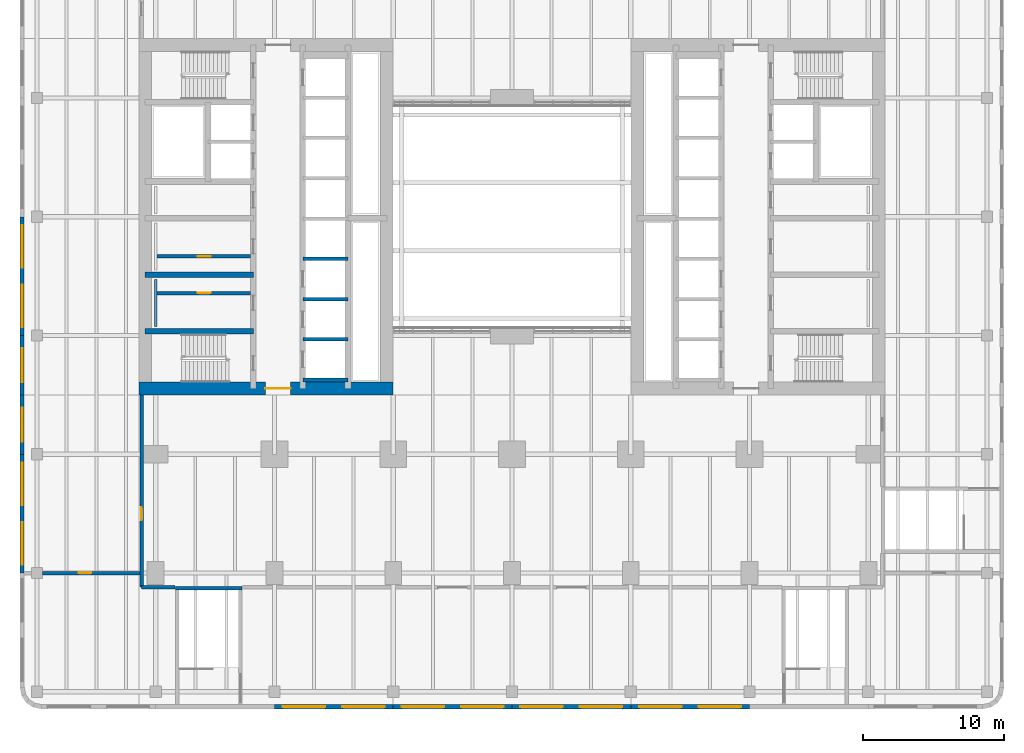
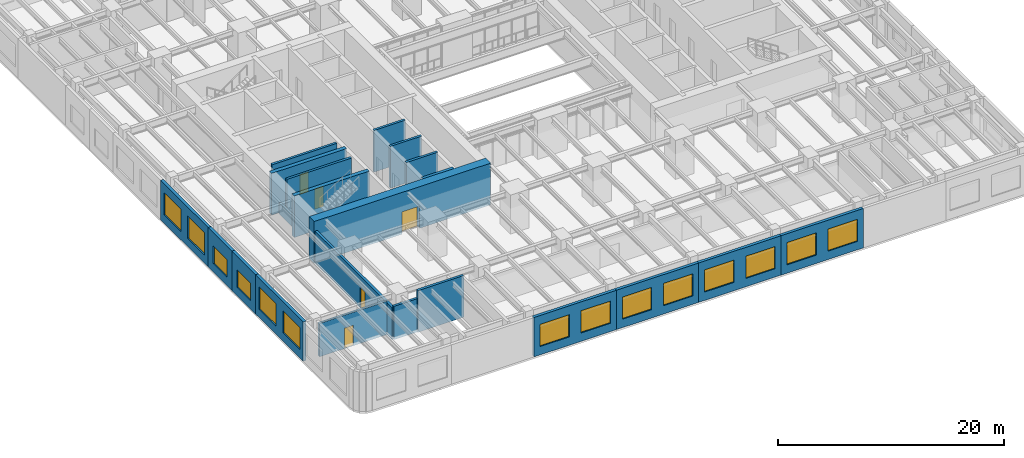
# One storey, part 9 of 22: 22 walls, 14 windows, 5 doors, 19 openings.
"""IFC4 building model written with IfcOpenShell, lengths in metres."""

from ifc_helpers import new_model, si_unit, direction, frame, frame_2d, origin, place, context, subcontext, project, spatial, rectangle, extrude, material, layer, layer_set, type_object, element, fill, save


model = new_model("IFC4")

# Units and contexts
model_context = context("Model", 3, precision=1e-05, world=origin(), true_north=direction((0.0, 1.0)))
body_context = subcontext(model_context, "Body", "Model", "MODEL_VIEW")
ifc_project = project(units=[si_unit("LENGTHUNIT", "METRE"), si_unit("AREAUNIT", "SQUARE_METRE"), si_unit("VOLUMEUNIT", "CUBIC_METRE"), si_unit("PLANEANGLEUNIT", "RADIAN"), si_unit("MASSUNIT", "GRAM", prefix="KILO")], contexts=[model_context])

# Site, building, storey
site_placement = place(None, origin())
site = spatial("IfcSite", under=ifc_project, at=site_placement, CompositionType="ELEMENT")
building_placement = place(site_placement, origin())
building = spatial("IfcBuilding", under=site, at=building_placement, Name="Claustro Exchange Tower", CompositionType="ELEMENT")
storey_placement = place(building_placement, frame((0.0, 0.0, 14.39990234375)))
storey = spatial("IfcBuildingStorey", under=building, at=storey_placement, Name="L03", CompositionType="ELEMENT", Elevation=14.39990234375)

# Wall
ifc_material_1 = material(Name="Concrete blockwork, rendered", Category="masonry")
ifc_layer_1 = layer(ifc_material_1, 0.25)
ifc_layer_set_1 = layer_set([ifc_layer_1], Name="Concrete blockwork, rendered")
wall_type_1 = type_object("IfcWallType", Name="P4 250 blockwork wall", PredefinedType="PARTITIONING", material=ifc_layer_set_1)
wall_1_placement = place(storey_placement, frame((-1.0, -1.0, 0.0), z_axis=(0.0, 0.0, 1.0), x_axis=(1.0, 0.0, 0.0)))
element("IfcWall", 1, at=wall_1_placement, inside=storey, type_object=wall_type_1, Name="Partition P4 L03", PredefinedType="PARTITIONING", context=body_context, shape_type="SweptSolid", body=[
    extrude(rectangle(XDim=2.3798828125, YDim=0.25, at=frame_2d((1.18994140625, 0.0))), origin(), (0.0, 0.0, 1.0), 3.60009765625),
])

# Wall, opening, door
wall_2_placement = place(storey_placement, frame((-8.0009765625, 0.0, 0.0), z_axis=(0.0, 0.0, 1.0), x_axis=(1.0, 0.0, 0.0)))
wall_2 = element("IfcWall", 2, at=wall_2_placement, inside=storey, type_object=wall_type_1, Name="Partition P4 L03", PredefinedType="PARTITIONING", context=body_context, shape_type="SweptSolid", body=[
    extrude(rectangle(XDim=6.876953125, YDim=0.25, at=frame_2d((3.4384765625, 0.0))), origin(), (0.0, 0.0, 1.0), 3.60009765625),
])
opening_1_placement = place(wall_2_placement, frame((2.551025390625, 0.0, 0.0)))
opening_1 = element("IfcOpeningElement", 3, at=opening_1_placement, cuts=wall_2, Name="Opening D12", PredefinedType="OPENING", context=body_context, shape_type="SweptSolid", body=[
    extrude(rectangle(XDim=0.89990234375, YDim=2.199951171875, at=frame_2d((0.449951171875, 1.10009765625))), frame((0.0, 0.135009765625, 0.0), z_axis=(0.0, -1.0, 0.0), x_axis=(1.0, 0.0, 0.0)), (0.0, 0.0, 1.0), 0.27001953125),
])
ifc_material_2 = material(Name="Steel door, painted", Category="steel")
door_type_1 = type_object("IfcDoorType", Name="D12 900 x 2200 plant and store room door", OperationType="SINGLE_SWING_LEFT", PredefinedType="DOOR", material=ifc_material_2)
door_1_placement = place(opening_1_placement, origin())
door_1 = element("IfcDoor", 4, at=door_1_placement, inside=storey, type_object=door_type_1, Name="Door D12 L03", OperationType="SINGLE_SWING_RIGHT", OverallHeight=2.199951171875, OverallWidth=0.89990234375, PredefinedType="DOOR", context=body_context, shape_type="SweptSolid", body=[
    extrude(rectangle(XDim=0.89990234375, YDim=2.199951171875, at=frame_2d((0.449951171875, 1.10009765625))), frame((0.0, 0.02490234375, 0.0), z_axis=(0.0, -1.0, 0.0), x_axis=(1.0, 0.0, 0.0)), (0.0, 0.0, 1.0), 0.050048828125),
])
fill(opening_1, door_1)

wall_3_placement = place(storey_placement, frame((-1.0, -1.0, 0.0), z_axis=(0.0, 0.0, 1.0), x_axis=(0.0, 1.0, 0.0)))
wall_3 = element("IfcWall", 5, at=wall_3_placement, inside=storey, type_object=wall_type_1, Name="Partition P4 L03", PredefinedType="PARTITIONING", context=body_context, shape_type="SweptSolid", body=[
    extrude(rectangle(XDim=13.60205078125, YDim=0.25, at=frame_2d((6.801025390625, 0.0))), origin(), (0.0, 0.0, 1.0), 3.4501953125),
])
opening_2_placement = place(wall_3_placement, frame((4.75, 0.0, 0.0)))
opening_2 = element("IfcOpeningElement", 6, at=opening_2_placement, cuts=wall_3, Name="Opening D12", PredefinedType="OPENING", context=body_context, shape_type="SweptSolid", body=[
    extrude(rectangle(XDim=0.89990234375, YDim=2.199951171875, at=frame_2d((0.449951171875, 1.10009765625))), frame((0.0, 0.135009765625, 0.0), z_axis=(0.0, -1.0, 0.0), x_axis=(1.0, 0.0, 0.0)), (0.0, 0.0, 1.0), 0.27001953125),
])
door_2_placement = place(opening_2_placement, origin())
door_2 = element("IfcDoor", 7, at=door_2_placement, inside=storey, type_object=door_type_1, Name="Door D12 L03", OperationType="SINGLE_SWING_LEFT", OverallHeight=2.199951171875, OverallWidth=0.89990234375, PredefinedType="DOOR", context=body_context, shape_type="SweptSolid", body=[
    extrude(rectangle(XDim=0.89990234375, YDim=2.199951171875, at=frame_2d((0.449951171875, 1.10009765625))), frame((0.0, 0.02490234375, 0.0), z_axis=(0.0, -1.0, 0.0), x_axis=(1.0, 0.0, 0.0)), (0.0, 0.0, 1.0), 0.050048828125),
])
fill(opening_2, door_2)

wall_4_placement = place(storey_placement, frame((0.10009765625, 22.39990234375, 0.0), z_axis=(0.0, 0.0, 1.0), x_axis=(1.0, 0.0, 0.0)))
wall_4 = element("IfcWall", 8, at=wall_4_placement, inside=storey, type_object=wall_type_1, Name="Partition P4 L03", PredefinedType="PARTITIONING", context=body_context, shape_type="SweptSolid", body=[
    extrude(rectangle(XDim=6.599853515625, YDim=0.25, at=frame_2d((3.2998046875, 0.0))), origin(), (0.0, 0.0, 1.0), 4.300048828125),
])
opening_3_placement = place(wall_4_placement, frame((2.875, 0.0, 0.0)))
opening_3 = element("IfcOpeningElement", 9, at=opening_3_placement, cuts=wall_4, Name="Opening D5", PredefinedType="OPENING", context=body_context, shape_type="SweptSolid", body=[
    extrude(rectangle(XDim=0.89990234375, YDim=2.199951171875, at=frame_2d((0.449951171875, 1.10009765625))), frame((0.0, 0.135009765625, 0.0), z_axis=(0.0, -1.0, 0.0), x_axis=(1.0, 0.0, 0.0)), (0.0, 0.0, 1.0), 0.27001953125),
])
ifc_material_3 = material(Name="Steel door, painted", Category="steel")
door_type_2 = type_object("IfcDoorType", Name="D5 900 x 2200 store door", OperationType="SINGLE_SWING_LEFT", PredefinedType="DOOR", material=ifc_material_3)
door_3_placement = place(opening_3_placement, frame((0.89990234375, 0.0, 0.0), z_axis=(0.0, 0.0, 1.0), x_axis=(-1.0, 0.0, 0.0)))
door_3 = element("IfcDoor", 10, at=door_3_placement, inside=storey, type_object=door_type_2, Name="Store door D5 L03", OperationType="SINGLE_SWING_RIGHT", OverallHeight=2.199951171875, OverallWidth=0.89990234375, PredefinedType="DOOR", context=body_context, shape_type="SweptSolid", body=[
    extrude(rectangle(XDim=0.89990234375, YDim=2.199951171875, at=frame_2d((0.449951171875, 1.10009765625))), frame((0.0, 0.02490234375, 0.0), z_axis=(0.0, -1.0, 0.0), x_axis=(1.0, 0.0, 0.0)), (0.0, 0.0, 1.0), 0.050048828125),
])
fill(opening_3, door_3)

wall_5_placement = place(storey_placement, frame((0.10009765625, 19.800048828125, 0.0), z_axis=(0.0, 0.0, 1.0), x_axis=(1.0, 0.0, 0.0)))
wall_5 = element("IfcWall", 11, at=wall_5_placement, inside=storey, type_object=wall_type_1, Name="Partition P4 L03", PredefinedType="PARTITIONING", context=body_context, shape_type="SweptSolid", body=[
    extrude(rectangle(XDim=6.599853515625, YDim=0.25, at=frame_2d((3.2998046875, 0.0))), origin(), (0.0, 0.0, 1.0), 4.300048828125),
])
opening_4_placement = place(wall_5_placement, frame((2.875, 0.0, 0.0)))
opening_4 = element("IfcOpeningElement", 12, at=opening_4_placement, cuts=wall_5, Name="Opening D5", PredefinedType="OPENING", context=body_context, shape_type="SweptSolid", body=[
    extrude(rectangle(XDim=0.89990234375, YDim=2.199951171875, at=frame_2d((0.449951171875, 1.10009765625))), frame((0.0, 0.135009765625, 0.0), z_axis=(0.0, -1.0, 0.0), x_axis=(1.0, 0.0, 0.0)), (0.0, 0.0, 1.0), 0.27001953125),
])
door_4_placement = place(opening_4_placement, origin())
door_4 = element("IfcDoor", 13, at=door_4_placement, inside=storey, type_object=door_type_2, Name="Store door D5 L03", OperationType="SINGLE_SWING_LEFT", OverallHeight=2.199951171875, OverallWidth=0.89990234375, PredefinedType="DOOR", context=body_context, shape_type="SweptSolid", body=[
    extrude(rectangle(XDim=0.89990234375, YDim=2.199951171875, at=frame_2d((0.449951171875, 1.10009765625))), frame((0.0, 0.02490234375, 0.0), z_axis=(0.0, -1.0, 0.0), x_axis=(1.0, 0.0, 0.0)), (0.0, 0.0, 1.0), 0.050048828125),
])
fill(opening_4, door_4)

# Wall, openings, windows
ifc_material_4 = material(Name="Concrete HA-40 (C40/50), precast, white cement, acid-etched", Category="concrete")
ifc_layer_2 = layer(ifc_material_4, 0.300048828125)
ifc_layer_set_2 = layer_set([ifc_layer_2], Name="Concrete HA-40 (C40/50), precast, white cement, acid-etched")
wall_type_2 = type_object("IfcWallType", Name="PC1 300 precast concrete pier panel", PredefinedType="SOLIDWALL", material=ifc_layer_set_2)
wall_6_placement = place(storey_placement, frame((42.0, -9.449951171875, 0.0), z_axis=(0.0, 0.0, 1.0), x_axis=(-1.0, 0.0, 0.0)))
wall_6 = element("IfcWall", 14, at=wall_6_placement, inside=storey, type_object=wall_type_2, Name="Precast pier panel PC1 L03", PredefinedType="SOLIDWALL", context=body_context, shape_type="SweptSolid", body=[
    extrude(rectangle(XDim=8.39990234375, YDim=0.300048828125, at=frame_2d((4.199951171875, 0.0))), origin(), (0.0, 0.0, 1.0), 4.25),
])
opening_5_placement = place(wall_6_placement, frame((0.60009765625, 0.0, 0.89990234375)))
opening_5 = element("IfcOpeningElement", 15, at=opening_5_placement, cuts=wall_6, Name="Opening W3", PredefinedType="OPENING", context=body_context, shape_type="SweptSolid", body=[
    extrude(rectangle(XDim=3.0, YDim=2.39990234375, at=frame_2d((1.5, 1.199951171875))), frame((0.0, 0.159912109375, 0.0), z_axis=(0.0, -1.0, 0.0), x_axis=(1.0, 0.0, 0.0)), (0.0, 0.0, 1.0), 0.320068359375),
])
opening_6_placement = place(wall_6_placement, frame((4.800048828125, 0.0, 0.89990234375)))
opening_6 = element("IfcOpeningElement", 16, at=opening_6_placement, cuts=wall_6, Name="Opening W3", PredefinedType="OPENING", context=body_context, shape_type="SweptSolid", body=[
    extrude(rectangle(XDim=3.0, YDim=2.39990234375, at=frame_2d((1.5, 1.199951171875))), frame((0.0, 0.159912109375, 0.0), z_axis=(0.0, -1.0, 0.0), x_axis=(1.0, 0.0, 0.0)), (0.0, 0.0, 1.0), 0.320068359375),
])
ifc_material_5 = material(Name="Aluminium frame, clear double glazing", Category="aluminium")
window_type_1 = type_object("IfcWindowType", Name="W3 3000 x 2400 window", PartitioningType="SINGLE_PANEL", PredefinedType="WINDOW", material=ifc_material_5)
window_1_placement = place(opening_5_placement, origin())
window_1 = element("IfcWindow", 17, at=window_1_placement, inside=storey, type_object=window_type_1, Name="Window W3 L03", OverallHeight=2.39990234375, OverallWidth=3.0, PartitioningType="SINGLE_PANEL", PredefinedType="WINDOW", context=body_context, shape_type="SweptSolid", body=[
    extrude(rectangle(XDim=3.0, YDim=2.39990234375, at=frame_2d((1.5, 1.199951171875))), frame((0.0, 0.030029296875, 0.0), z_axis=(0.0, -1.0, 0.0), x_axis=(1.0, 0.0, 0.0)), (0.0, 0.0, 1.0), 0.06005859375),
])
fill(opening_5, window_1)
window_2_placement = place(opening_6_placement, origin())
window_2 = element("IfcWindow", 18, at=window_2_placement, inside=storey, type_object=window_type_1, Name="Window W3 L03", OverallHeight=2.39990234375, OverallWidth=3.0, PartitioningType="SINGLE_PANEL", PredefinedType="WINDOW", context=body_context, shape_type="SweptSolid", body=[
    extrude(rectangle(XDim=3.0, YDim=2.39990234375, at=frame_2d((1.5, 1.199951171875))), frame((0.0, 0.030029296875, 0.0), z_axis=(0.0, -1.0, 0.0), x_axis=(1.0, 0.0, 0.0)), (0.0, 0.0, 1.0), 0.06005859375),
])
fill(opening_6, window_2)

wall_7_placement = place(storey_placement, frame((33.60009765625, -9.449951171875, 0.0), z_axis=(0.0, 0.0, 1.0), x_axis=(-1.0, 0.0, 0.0)))
wall_7 = element("IfcWall", 19, at=wall_7_placement, inside=storey, type_object=wall_type_2, Name="Precast pier panel PC1 L03", PredefinedType="SOLIDWALL", context=body_context, shape_type="SweptSolid", body=[
    extrude(rectangle(XDim=8.400146484375, YDim=0.300048828125, at=frame_2d((4.2001953125, 0.0))), origin(), (0.0, 0.0, 1.0), 4.25),
])
opening_7_placement = place(wall_7_placement, frame((0.60009765625, 0.0, 0.89990234375)))
opening_7 = element("IfcOpeningElement", 20, at=opening_7_placement, cuts=wall_7, Name="Opening W3", PredefinedType="OPENING", context=body_context, shape_type="SweptSolid", body=[
    extrude(rectangle(XDim=3.0, YDim=2.39990234375, at=frame_2d((1.5, 1.199951171875))), frame((0.0, 0.159912109375, 0.0), z_axis=(0.0, -1.0, 0.0), x_axis=(1.0, 0.0, 0.0)), (0.0, 0.0, 1.0), 0.320068359375),
])
opening_8_placement = place(wall_7_placement, frame((4.800048828125, 0.0, 0.89990234375)))
opening_8 = element("IfcOpeningElement", 21, at=opening_8_placement, cuts=wall_7, Name="Opening W3", PredefinedType="OPENING", context=body_context, shape_type="SweptSolid", body=[
    extrude(rectangle(XDim=3.0, YDim=2.39990234375, at=frame_2d((1.5, 1.199951171875))), frame((0.0, 0.159912109375, 0.0), z_axis=(0.0, -1.0, 0.0), x_axis=(1.0, 0.0, 0.0)), (0.0, 0.0, 1.0), 0.320068359375),
])
window_3_placement = place(opening_7_placement, origin())
window_3 = element("IfcWindow", 22, at=window_3_placement, inside=storey, type_object=window_type_1, Name="Window W3 L03", OverallHeight=2.39990234375, OverallWidth=3.0, PartitioningType="SINGLE_PANEL", PredefinedType="WINDOW", context=body_context, shape_type="SweptSolid", body=[
    extrude(rectangle(XDim=3.0, YDim=2.39990234375, at=frame_2d((1.5, 1.199951171875))), frame((0.0, 0.030029296875, 0.0), z_axis=(0.0, -1.0, 0.0), x_axis=(1.0, 0.0, 0.0)), (0.0, 0.0, 1.0), 0.06005859375),
])
fill(opening_7, window_3)
window_4_placement = place(opening_8_placement, origin())
window_4 = element("IfcWindow", 23, at=window_4_placement, inside=storey, type_object=window_type_1, Name="Window W3 L03", OverallHeight=2.39990234375, OverallWidth=3.0, PartitioningType="SINGLE_PANEL", PredefinedType="WINDOW", context=body_context, shape_type="SweptSolid", body=[
    extrude(rectangle(XDim=3.0, YDim=2.39990234375, at=frame_2d((1.5, 1.199951171875))), frame((0.0, 0.030029296875, 0.0), z_axis=(0.0, -1.0, 0.0), x_axis=(1.0, 0.0, 0.0)), (0.0, 0.0, 1.0), 0.06005859375),
])
fill(opening_8, window_4)

wall_8_placement = place(storey_placement, frame((25.199951171875, -9.449951171875, 0.0), z_axis=(0.0, 0.0, 1.0), x_axis=(-1.0, 0.0, 0.0)))
wall_8 = element("IfcWall", 24, at=wall_8_placement, inside=storey, type_object=wall_type_2, Name="Precast pier panel PC1 L03", PredefinedType="SOLIDWALL", context=body_context, shape_type="SweptSolid", body=[
    extrude(rectangle(XDim=8.39990234375, YDim=0.300048828125, at=frame_2d((4.199951171875, 0.0))), origin(), (0.0, 0.0, 1.0), 4.25),
])
opening_9_placement = place(wall_8_placement, frame((0.60009765625, 0.0, 0.89990234375)))
opening_9 = element("IfcOpeningElement", 25, at=opening_9_placement, cuts=wall_8, Name="Opening W3", PredefinedType="OPENING", context=body_context, shape_type="SweptSolid", body=[
    extrude(rectangle(XDim=3.0, YDim=2.39990234375, at=frame_2d((1.5, 1.199951171875))), frame((0.0, 0.159912109375, 0.0), z_axis=(0.0, -1.0, 0.0), x_axis=(1.0, 0.0, 0.0)), (0.0, 0.0, 1.0), 0.320068359375),
])
opening_10_placement = place(wall_8_placement, frame((4.800048828125, 0.0, 0.89990234375)))
opening_10 = element("IfcOpeningElement", 26, at=opening_10_placement, cuts=wall_8, Name="Opening W3", PredefinedType="OPENING", context=body_context, shape_type="SweptSolid", body=[
    extrude(rectangle(XDim=3.0, YDim=2.39990234375, at=frame_2d((1.5, 1.199951171875))), frame((0.0, 0.159912109375, 0.0), z_axis=(0.0, -1.0, 0.0), x_axis=(1.0, 0.0, 0.0)), (0.0, 0.0, 1.0), 0.320068359375),
])
window_5_placement = place(opening_9_placement, origin())
window_5 = element("IfcWindow", 27, at=window_5_placement, inside=storey, type_object=window_type_1, Name="Window W3 L03", OverallHeight=2.39990234375, OverallWidth=3.0, PartitioningType="SINGLE_PANEL", PredefinedType="WINDOW", context=body_context, shape_type="SweptSolid", body=[
    extrude(rectangle(XDim=3.0, YDim=2.39990234375, at=frame_2d((1.5, 1.199951171875))), frame((0.0, 0.030029296875, 0.0), z_axis=(0.0, -1.0, 0.0), x_axis=(1.0, 0.0, 0.0)), (0.0, 0.0, 1.0), 0.06005859375),
])
fill(opening_9, window_5)
window_6_placement = place(opening_10_placement, origin())
window_6 = element("IfcWindow", 28, at=window_6_placement, inside=storey, type_object=window_type_1, Name="Window W3 L03", OverallHeight=2.39990234375, OverallWidth=3.0, PartitioningType="SINGLE_PANEL", PredefinedType="WINDOW", context=body_context, shape_type="SweptSolid", body=[
    extrude(rectangle(XDim=3.0, YDim=2.39990234375, at=frame_2d((1.5, 1.199951171875))), frame((0.0, 0.030029296875, 0.0), z_axis=(0.0, -1.0, 0.0), x_axis=(1.0, 0.0, 0.0)), (0.0, 0.0, 1.0), 0.06005859375),
])
fill(opening_10, window_6)

wall_9_placement = place(storey_placement, frame((16.800048828125, -9.449951171875, 0.0), z_axis=(0.0, 0.0, 1.0), x_axis=(-1.0, 0.0, 0.0)))
wall_9 = element("IfcWall", 29, at=wall_9_placement, inside=storey, type_object=wall_type_2, Name="Precast pier panel PC1 L03", PredefinedType="SOLIDWALL", context=body_context, shape_type="SweptSolid", body=[
    extrude(rectangle(XDim=8.400146484375, YDim=0.300048828125, at=frame_2d((4.2001953125, 0.0))), origin(), (0.0, 0.0, 1.0), 4.25),
])
opening_11_placement = place(wall_9_placement, frame((0.60009765625, 0.0, 0.89990234375)))
opening_11 = element("IfcOpeningElement", 30, at=opening_11_placement, cuts=wall_9, Name="Opening W3", PredefinedType="OPENING", context=body_context, shape_type="SweptSolid", body=[
    extrude(rectangle(XDim=3.0, YDim=2.39990234375, at=frame_2d((1.5, 1.199951171875))), frame((0.0, 0.159912109375, 0.0), z_axis=(0.0, -1.0, 0.0), x_axis=(1.0, 0.0, 0.0)), (0.0, 0.0, 1.0), 0.320068359375),
])
opening_12_placement = place(wall_9_placement, frame((4.800048828125, 0.0, 0.89990234375)))
opening_12 = element("IfcOpeningElement", 31, at=opening_12_placement, cuts=wall_9, Name="Opening W3", PredefinedType="OPENING", context=body_context, shape_type="SweptSolid", body=[
    extrude(rectangle(XDim=3.0, YDim=2.39990234375, at=frame_2d((1.5, 1.199951171875))), frame((0.0, 0.159912109375, 0.0), z_axis=(0.0, -1.0, 0.0), x_axis=(1.0, 0.0, 0.0)), (0.0, 0.0, 1.0), 0.320068359375),
])
window_7_placement = place(opening_11_placement, origin())
window_7 = element("IfcWindow", 32, at=window_7_placement, inside=storey, type_object=window_type_1, Name="Window W3 L03", OverallHeight=2.39990234375, OverallWidth=3.0, PartitioningType="SINGLE_PANEL", PredefinedType="WINDOW", context=body_context, shape_type="SweptSolid", body=[
    extrude(rectangle(XDim=3.0, YDim=2.39990234375, at=frame_2d((1.5, 1.199951171875))), frame((0.0, 0.030029296875, 0.0), z_axis=(0.0, -1.0, 0.0), x_axis=(1.0, 0.0, 0.0)), (0.0, 0.0, 1.0), 0.06005859375),
])
fill(opening_11, window_7)
window_8_placement = place(opening_12_placement, origin())
window_8 = element("IfcWindow", 33, at=window_8_placement, inside=storey, type_object=window_type_1, Name="Window W3 L03", OverallHeight=2.39990234375, OverallWidth=3.0, PartitioningType="SINGLE_PANEL", PredefinedType="WINDOW", context=body_context, shape_type="SweptSolid", body=[
    extrude(rectangle(XDim=3.0, YDim=2.39990234375, at=frame_2d((1.5, 1.199951171875))), frame((0.0, 0.030029296875, 0.0), z_axis=(0.0, -1.0, 0.0), x_axis=(1.0, 0.0, 0.0)), (0.0, 0.0, 1.0), 0.06005859375),
])
fill(opening_12, window_8)

wall_10_placement = place(storey_placement, frame((-9.449951171875, 0.0, 0.0), z_axis=(0.0, 0.0, 1.0), x_axis=(0.0, 1.0, 0.0)))
wall_10 = element("IfcWall", 34, at=wall_10_placement, inside=storey, type_object=wall_type_2, Name="Precast pier panel PC1 L03", PredefinedType="SOLIDWALL", context=body_context, shape_type="SweptSolid", body=[
    extrude(rectangle(XDim=8.39990234375, YDim=0.300048828125, at=frame_2d((4.199951171875, 0.0))), origin(), (0.0, 0.0, 1.0), 4.25),
])
opening_13_placement = place(wall_10_placement, frame((0.60009765625, 0.0, 0.89990234375)))
opening_13 = element("IfcOpeningElement", 35, at=opening_13_placement, cuts=wall_10, Name="Opening W3", PredefinedType="OPENING", context=body_context, shape_type="SweptSolid", body=[
    extrude(rectangle(XDim=3.0, YDim=2.39990234375, at=frame_2d((1.5, 1.199951171875))), frame((0.0, 0.159912109375, 0.0), z_axis=(0.0, -1.0, 0.0), x_axis=(1.0, 0.0, 0.0)), (0.0, 0.0, 1.0), 0.320068359375),
])
opening_14_placement = place(wall_10_placement, frame((4.800048828125, 0.0, 0.89990234375)))
opening_14 = element("IfcOpeningElement", 36, at=opening_14_placement, cuts=wall_10, Name="Opening W3", PredefinedType="OPENING", context=body_context, shape_type="SweptSolid", body=[
    extrude(rectangle(XDim=3.0, YDim=2.39990234375, at=frame_2d((1.5, 1.199951171875))), frame((0.0, 0.159912109375, 0.0), z_axis=(0.0, -1.0, 0.0), x_axis=(1.0, 0.0, 0.0)), (0.0, 0.0, 1.0), 0.320068359375),
])
window_9_placement = place(opening_13_placement, origin())
window_9 = element("IfcWindow", 37, at=window_9_placement, inside=storey, type_object=window_type_1, Name="Window W3 L03", OverallHeight=2.39990234375, OverallWidth=3.0, PartitioningType="SINGLE_PANEL", PredefinedType="WINDOW", context=body_context, shape_type="SweptSolid", body=[
    extrude(rectangle(XDim=3.0, YDim=2.39990234375, at=frame_2d((1.5, 1.199951171875))), frame((0.0, 0.030029296875, 0.0), z_axis=(0.0, -1.0, 0.0), x_axis=(1.0, 0.0, 0.0)), (0.0, 0.0, 1.0), 0.06005859375),
])
fill(opening_13, window_9)
window_10_placement = place(opening_14_placement, origin())
window_10 = element("IfcWindow", 38, at=window_10_placement, inside=storey, type_object=window_type_1, Name="Window W3 L03", OverallHeight=2.39990234375, OverallWidth=3.0, PartitioningType="SINGLE_PANEL", PredefinedType="WINDOW", context=body_context, shape_type="SweptSolid", body=[
    extrude(rectangle(XDim=3.0, YDim=2.39990234375, at=frame_2d((1.5, 1.199951171875))), frame((0.0, 0.030029296875, 0.0), z_axis=(0.0, -1.0, 0.0), x_axis=(1.0, 0.0, 0.0)), (0.0, 0.0, 1.0), 0.06005859375),
])
fill(opening_14, window_10)

# Wall, opening, window
wall_11_placement = place(storey_placement, frame((-9.449951171875, 8.39990234375, 0.0), z_axis=(0.0, 0.0, 1.0), x_axis=(0.0, 1.0, 0.0)))
wall_11 = element("IfcWall", 39, at=wall_11_placement, inside=storey, type_object=wall_type_2, Name="Precast pier panel PC1 L03", PredefinedType="SOLIDWALL", context=body_context, shape_type="SweptSolid", body=[
    extrude(rectangle(XDim=4.2001953125, YDim=0.300048828125, at=frame_2d((2.10009765625, 0.0))), origin(), (0.0, 0.0, 1.0), 4.25),
])
opening_15_placement = place(wall_11_placement, frame((0.89990234375, 0.0, 0.89990234375)))
opening_15 = element("IfcOpeningElement", 40, at=opening_15_placement, cuts=wall_11, Name="Opening W2", PredefinedType="OPENING", context=body_context, shape_type="SweptSolid", body=[
    extrude(rectangle(XDim=2.39990234375, YDim=1.89990234375, at=frame_2d((1.199951171875, 0.949951171875))), frame((0.0, 0.159912109375, 0.0), z_axis=(0.0, -1.0, 0.0), x_axis=(1.0, 0.0, 0.0)), (0.0, 0.0, 1.0), 0.320068359375),
])
ifc_material_6 = material(Name="Aluminium frame, clear double glazing", Category="aluminium")
window_type_2 = type_object("IfcWindowType", Name="W2 2400 x 1900 window", PartitioningType="SINGLE_PANEL", PredefinedType="WINDOW", material=ifc_material_6)
window_11_placement = place(opening_15_placement, origin())
window_11 = element("IfcWindow", 41, at=window_11_placement, inside=storey, type_object=window_type_2, Name="Window W2 L03", OverallHeight=1.89990234375, OverallWidth=2.39990234375, PartitioningType="SINGLE_PANEL", PredefinedType="WINDOW", context=body_context, shape_type="SweptSolid", body=[
    extrude(rectangle(XDim=2.39990234375, YDim=1.89990234375, at=frame_2d((1.199951171875, 0.949951171875))), frame((0.0, 0.030029296875, 0.0), z_axis=(0.0, -1.0, 0.0), x_axis=(1.0, 0.0, 0.0)), (0.0, 0.0, 1.0), 0.06005859375),
])
fill(opening_15, window_11)

wall_12_placement = place(storey_placement, frame((-9.449951171875, 12.60009765625, 0.0), z_axis=(0.0, 0.0, 1.0), x_axis=(0.0, 1.0, 0.0)))
wall_12 = element("IfcWall", 42, at=wall_12_placement, inside=storey, type_object=wall_type_2, Name="Precast pier panel PC1 L03", PredefinedType="SOLIDWALL", context=body_context, shape_type="SweptSolid", body=[
    extrude(rectangle(XDim=4.199951171875, YDim=0.300048828125, at=frame_2d((2.10009765625, 0.0))), origin(), (0.0, 0.0, 1.0), 4.25),
])
opening_16_placement = place(wall_12_placement, frame((0.89990234375, 0.0, 0.89990234375)))
opening_16 = element("IfcOpeningElement", 43, at=opening_16_placement, cuts=wall_12, Name="Opening W2", PredefinedType="OPENING", context=body_context, shape_type="SweptSolid", body=[
    extrude(rectangle(XDim=2.39990234375, YDim=1.89990234375, at=frame_2d((1.199951171875, 0.949951171875))), frame((0.0, 0.159912109375, 0.0), z_axis=(0.0, -1.0, 0.0), x_axis=(1.0, 0.0, 0.0)), (0.0, 0.0, 1.0), 0.320068359375),
])
window_12_placement = place(opening_16_placement, origin())
window_12 = element("IfcWindow", 44, at=window_12_placement, inside=storey, type_object=window_type_2, Name="Window W2 L03", OverallHeight=1.89990234375, OverallWidth=2.39990234375, PartitioningType="SINGLE_PANEL", PredefinedType="WINDOW", context=body_context, shape_type="SweptSolid", body=[
    extrude(rectangle(XDim=2.39990234375, YDim=1.89990234375, at=frame_2d((1.199951171875, 0.949951171875))), frame((0.0, 0.030029296875, 0.0), z_axis=(0.0, -1.0, 0.0), x_axis=(1.0, 0.0, 0.0)), (0.0, 0.0, 1.0), 0.06005859375),
])
fill(opening_16, window_12)

# Wall, openings, windows
wall_13_placement = place(storey_placement, frame((-9.449951171875, 16.800048828125, 0.0), z_axis=(0.0, 0.0, 1.0), x_axis=(0.0, 1.0, 0.0)))
wall_13 = element("IfcWall", 45, at=wall_13_placement, inside=storey, type_object=wall_type_2, Name="Precast pier panel PC1 L03", PredefinedType="SOLIDWALL", context=body_context, shape_type="SweptSolid", body=[
    extrude(rectangle(XDim=8.39990234375, YDim=0.300048828125, at=frame_2d((4.199951171875, 0.0))), origin(), (0.0, 0.0, 1.0), 4.25),
])
opening_17_placement = place(wall_13_placement, frame((0.60009765625, 0.0, 0.89990234375)))
opening_17 = element("IfcOpeningElement", 46, at=opening_17_placement, cuts=wall_13, Name="Opening W3", PredefinedType="OPENING", context=body_context, shape_type="SweptSolid", body=[
    extrude(rectangle(XDim=3.0, YDim=2.39990234375, at=frame_2d((1.5, 1.199951171875))), frame((0.0, 0.159912109375, 0.0), z_axis=(0.0, -1.0, 0.0), x_axis=(1.0, 0.0, 0.0)), (0.0, 0.0, 1.0), 0.320068359375),
])
opening_18_placement = place(wall_13_placement, frame((4.800048828125, 0.0, 0.89990234375)))
opening_18 = element("IfcOpeningElement", 47, at=opening_18_placement, cuts=wall_13, Name="Opening W3", PredefinedType="OPENING", context=body_context, shape_type="SweptSolid", body=[
    extrude(rectangle(XDim=3.0, YDim=2.39990234375, at=frame_2d((1.5, 1.199951171875))), frame((0.0, 0.159912109375, 0.0), z_axis=(0.0, -1.0, 0.0), x_axis=(1.0, 0.0, 0.0)), (0.0, 0.0, 1.0), 0.320068359375),
])
window_13_placement = place(opening_17_placement, origin())
window_13 = element("IfcWindow", 48, at=window_13_placement, inside=storey, type_object=window_type_1, Name="Window W3 L03", OverallHeight=2.39990234375, OverallWidth=3.0, PartitioningType="SINGLE_PANEL", PredefinedType="WINDOW", context=body_context, shape_type="SweptSolid", body=[
    extrude(rectangle(XDim=3.0, YDim=2.39990234375, at=frame_2d((1.5, 1.199951171875))), frame((0.0, 0.030029296875, 0.0), z_axis=(0.0, -1.0, 0.0), x_axis=(1.0, 0.0, 0.0)), (0.0, 0.0, 1.0), 0.06005859375),
])
fill(opening_17, window_13)
window_14_placement = place(opening_18_placement, origin())
window_14 = element("IfcWindow", 49, at=window_14_placement, inside=storey, type_object=window_type_1, Name="Window W3 L03", OverallHeight=2.39990234375, OverallWidth=3.0, PartitioningType="SINGLE_PANEL", PredefinedType="WINDOW", context=body_context, shape_type="SweptSolid", body=[
    extrude(rectangle(XDim=3.0, YDim=2.39990234375, at=frame_2d((1.5, 1.199951171875))), frame((0.0, 0.030029296875, 0.0), z_axis=(0.0, -1.0, 0.0), x_axis=(1.0, 0.0, 0.0)), (0.0, 0.0, 1.0), 0.06005859375),
])
fill(opening_18, window_14)

# Wall
ifc_material_7 = material(Name="Gypsum board on steel studs, tiled", Category="steel")
ifc_layer_3 = layer(ifc_material_7, 0.199951171875)
ifc_layer_set_3 = layer_set([ifc_layer_3], Name="Gypsum board on steel studs, tiled")
wall_type_3 = type_object("IfcWallType", Name="PW1 200 WC duct wall", PredefinedType="PLUMBINGWALL", material=ifc_layer_set_3)
wall_14_placement = place(storey_placement, frame((0.0, 17.449951171875, 0.0), z_axis=(0.0, 0.0, 1.0), x_axis=(0.0, 1.0, 0.0)))
element("IfcWall", 50, at=wall_14_placement, inside=storey, type_object=wall_type_3, Name="WC duct wall PW1 L03", PredefinedType="PLUMBINGWALL", context=body_context, shape_type="SweptSolid", body=[
    extrude(rectangle(XDim=3.300048828125, YDim=0.199951171875, at=frame_2d((1.64990234375, 0.0))), origin(), (0.0, 0.0, 1.0), 1.2001953125),
])

# Wall, opening, door
ifc_material_8 = material(Name="Concrete HA-70 (C70/85)", Category="concrete")
ifc_layer_4 = layer(ifc_material_8, 0.89990234375)
ifc_layer_set_4 = layer_set([ifc_layer_4], Name="Concrete HA-70 (C70/85)")
wall_type_4 = type_object("IfcWallType", Name="SW1 900 core shear wall", PredefinedType="SHEAR", material=ifc_layer_set_4)
wall_15_placement = place(storey_placement, frame((-1.199951171875, 13.050048828125, 0.0), z_axis=(0.0, 0.0, 1.0), x_axis=(1.0, 0.0, 0.0)))
wall_15 = element("IfcWall", 51, at=wall_15_placement, inside=storey, type_object=wall_type_4, Name="Core wall SW1 W core S face L03", PredefinedType="SHEAR", context=body_context, shape_type="SweptSolid", body=[
    extrude(rectangle(XDim=18.0, YDim=0.89990234375, at=frame_2d((9.0, 0.0))), origin(), (0.0, 0.0, 1.0), 4.5),
])
opening_19_placement = place(wall_15_placement, frame((8.949951171875, 0.0, 0.0)))
opening_19 = element("IfcOpeningElement", 52, at=opening_19_placement, cuts=wall_15, Name="Opening D3", PredefinedType="OPENING", context=body_context, shape_type="SweptSolid", body=[
    extrude(rectangle(XDim=1.800048828125, YDim=2.39990234375, at=frame_2d((0.89990234375, 1.199951171875))), frame((0.0, 0.4599609375, 0.0), z_axis=(0.0, -1.0, 0.0), x_axis=(1.0, 0.0, 0.0)), (0.0, 0.0, 1.0), 0.919921875),
])
ifc_material_9 = material(Name="Steel fire door, painted", Category="steel")
door_type_3 = type_object("IfcDoorType", Name="D3 1800 x 2400 fire-rated lobby double door", OperationType="DOUBLE_DOOR_SINGLE_SWING", PredefinedType="DOOR", material=ifc_material_9)
door_5_placement = place(opening_19_placement, origin())
door_5 = element("IfcDoor", 53, at=door_5_placement, inside=storey, type_object=door_type_3, Name="Lift lobby door D3 L03", OperationType="DOUBLE_DOOR_SINGLE_SWING", OverallHeight=2.39990234375, OverallWidth=1.800048828125, PredefinedType="DOOR", context=body_context, shape_type="SweptSolid", body=[
    extrude(rectangle(XDim=1.800048828125, YDim=2.39990234375, at=frame_2d((0.89990234375, 1.199951171875))), frame((0.0, 0.02490234375, 0.0), z_axis=(0.0, -1.0, 0.0), x_axis=(1.0, 0.0, 0.0)), (0.0, 0.0, 1.0), 0.050048828125),
])
fill(opening_19, door_5)

# Walls
ifc_material_10 = material(Name="Concrete HA-50 (C50/60)", Category="concrete")
ifc_layer_5 = layer(ifc_material_10, 0.39990234375)
ifc_layer_set_5 = layer_set([ifc_layer_5], Name="Concrete HA-50 (C50/60)")
wall_type_5 = type_object("IfcWallType", Name="SW4 400 internal core wall", PredefinedType="SHEAR", material=ifc_layer_set_5)
for number, where, z_axis, x_axis, name in (
    (54, (-0.75, 17.10009765625, 0.0), (0.0, 0.0, 1.0), (1.0, 0.0, 0.0), "Internal core wall SW4 W core L03"),
    (55, (-0.75, 21.10009765625, 0.0), (0.0, 0.0, 1.0), (1.0, 0.0, 0.0), "Internal core wall SW4 W core L03"),
):
    element("IfcWall", number, at=place(storey_placement, frame(where, z_axis=z_axis, x_axis=x_axis)), inside=storey, type_object=wall_type_5, Name=name, PredefinedType="SHEAR", context=body_context, shape_type="SweptSolid", body=[
        extrude(rectangle(XDim=7.64990234375, YDim=0.39990234375, at=frame_2d((3.824951171875, 0.0))), origin(), (0.0, 0.0, 1.0), 4.5),
    ])
ifc_material_11 = material(Name="Concrete HA-50 (C50/60)", Category="concrete")
ifc_layer_6 = layer(ifc_material_11, 0.25)
ifc_layer_set_6 = layer_set([ifc_layer_6], Name="Concrete HA-50 (C50/60)")
wall_type_6 = type_object("IfcWallType", Name="SW5 250 lift shaft divider wall", PredefinedType="SHEAR", material=ifc_layer_set_6)
for number, where, z_axis, x_axis, name in (
    (56, (10.39990234375, 16.52490234375, 0.0), (0.0, 0.0, 1.0), (1.0, 0.0, 0.0), "Lift shaft wall W core L03"),
    (57, (10.39990234375, 19.375, 0.0), (0.0, 0.0, 1.0), (1.0, 0.0, 0.0), "Lift shaft wall W core L03"),
    (58, (10.39990234375, 22.22509765625, 0.0), (0.0, 0.0, 1.0), (1.0, 0.0, 0.0), "Lift shaft wall W core L03"),
):
    element("IfcWall", number, at=place(storey_placement, frame(where, z_axis=z_axis, x_axis=x_axis)), inside=storey, type_object=wall_type_6, Name=name, PredefinedType="SHEAR", context=body_context, shape_type="SweptSolid", body=[
        extrude(rectangle(XDim=3.2001953125, YDim=0.25, at=frame_2d((1.60009765625, 0.0))), origin(), (0.0, 0.0, 1.0), 4.5),
    ])
ifc_material_12 = material(Name="Concrete HA-50 (C50/60)", Category="concrete")
ifc_layer_7 = layer(ifc_material_12, 0.300048828125)
ifc_layer_set_7 = layer_set([ifc_layer_7], Name="Concrete HA-50 (C50/60)")
wall_type_7 = type_object("IfcWallType", Name="SW6A 300 lift shaft end wall", PredefinedType="SHEAR", material=ifc_layer_set_7)
wall_16_placement = place(storey_placement, frame((10.39990234375, 13.64990234375, 0.0), z_axis=(0.0, 0.0, 1.0), x_axis=(1.0, 0.0, 0.0)))
element("IfcWall", 59, at=wall_16_placement, inside=storey, type_object=wall_type_7, Name="Lift shaft wall W core L03", PredefinedType="SHEAR", context=body_context, shape_type="SweptSolid", body=[
    extrude(rectangle(XDim=3.2001953125, YDim=0.300048828125, at=frame_2d((1.60009765625, 0.0))), origin(), (0.0, 0.0, 1.0), 4.5),
])
ifc_material_13 = material(Name="Concrete HA-40 (C40/50)", Category="concrete")
ifc_layer_8 = layer(ifc_material_13, 0.25)
ifc_layer_set_8 = layer_set([ifc_layer_8], Name="Concrete HA-40 (C40/50)")
wall_type_8 = type_object("IfcWallType", Name="SW7 250 reinforced concrete stair wall", PredefinedType="SOLIDWALL", material=ifc_layer_set_8)
wall_17_placement = place(storey_placement, frame((1.39990234375, -1.074951171875, 0.0), z_axis=(0.0, 0.0, 1.0), x_axis=(1.0, 0.0, 0.0)))
element("IfcWall", 60, at=wall_17_placement, inside=storey, type_object=wall_type_8, Name="Stair enclosure wall STP1 SW7 L03", PredefinedType="SOLIDWALL", context=body_context, shape_type="SweptSolid", body=[
    extrude(rectangle(XDim=4.7001953125, YDim=0.25, at=frame_2d((2.35009765625, 0.0))), origin(), (0.0, 0.0, 1.0), 4.5),
])

save(model, "model.ifc")
